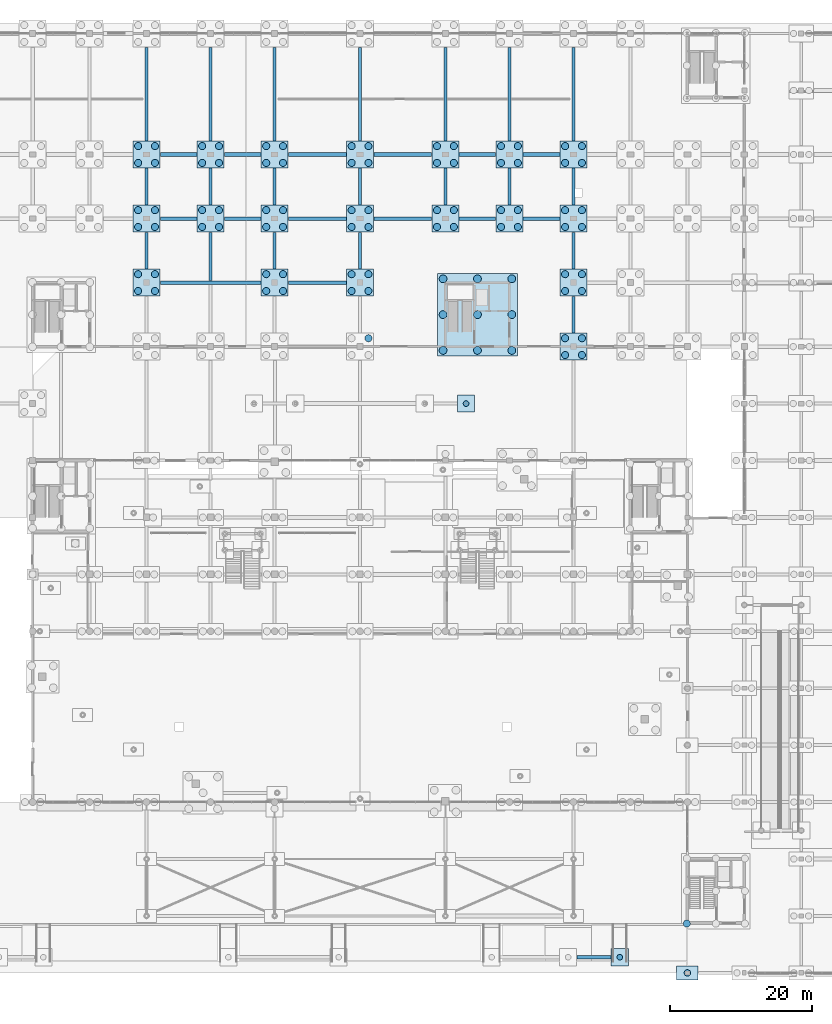
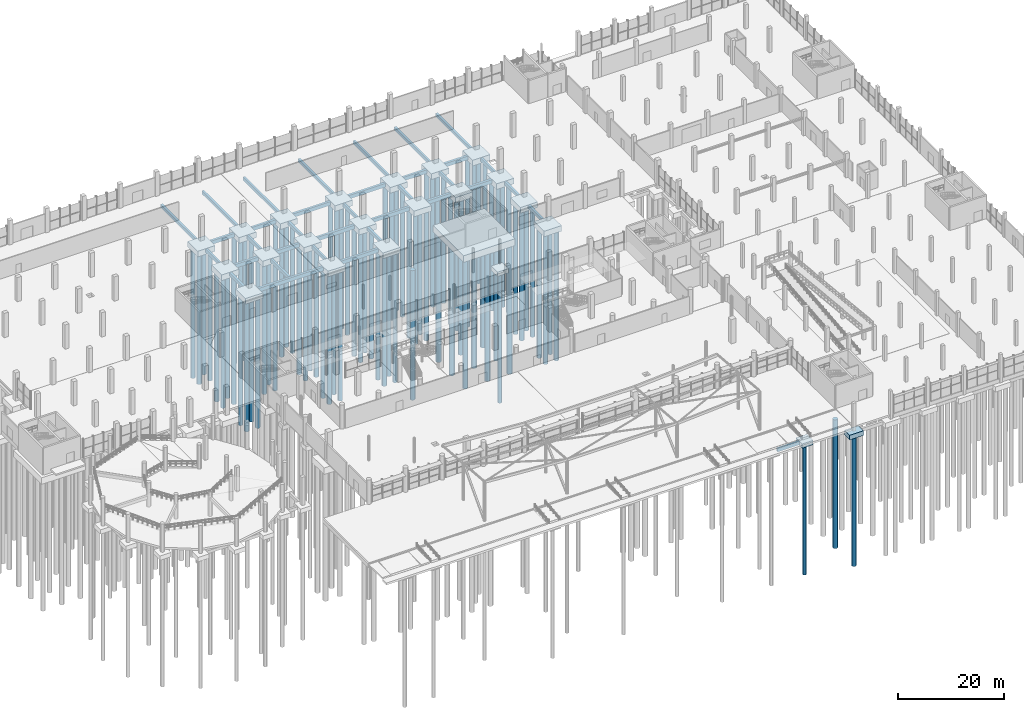
# One storey, part 6 of 98: 90 piles, 58 footings.
"""IFC4 building model written with IfcOpenShell, lengths in metres."""

from ifc_helpers import new_model, si_unit, derived_unit, direction, frame, origin, origin_2d, place, context, subcontext, project, spatial, rectangle, circle, extrude, material, layer, layer_set, material_profile, profile_set, type_object, element, save


model = new_model("IFC4")

# Units and contexts
model_context = context("Model", 3, precision=1e-05, world=origin(), true_north=direction((0.0, 1.0)))
body_context = subcontext(model_context, "Body", "Model", "MODEL_VIEW")
ifc_project = project(units=[si_unit("LENGTHUNIT", "METRE"), si_unit("AREAUNIT", "SQUARE_METRE"), si_unit("VOLUMEUNIT", "CUBIC_METRE"), si_unit("PLANEANGLEUNIT", "RADIAN"), si_unit("MASSUNIT", "GRAM", prefix="KILO"), si_unit("THERMODYNAMICTEMPERATUREUNIT", "KELVIN"), derived_unit("THERMALTRANSMITTANCEUNIT", [(si_unit("POWERUNIT", "WATT"), 1), (si_unit("AREAUNIT", "SQUARE_METRE"), -1), (si_unit("THERMODYNAMICTEMPERATUREUNIT", "KELVIN"), -1)])], contexts=[model_context])

# Site, building, storey
site_placement = place(None, origin())
site = spatial("IfcSite", under=ifc_project, at=site_placement, CompositionType="ELEMENT")
building_placement = place(site_placement, origin())
building = spatial("IfcBuilding", under=site, at=building_placement, Name="Haiyu Intermodal Mobility Hub", CompositionType="ELEMENT")
storey_placement = place(building_placement, origin())
storey = spatial("IfcBuildingStorey", under=building, at=storey_placement, Name="L00", CompositionType="ELEMENT", Elevation=0.0)

# Footings
ifc_material = material(Name="Concrete C40", Category="concrete")
ifc_layer_1 = layer(ifc_material, 1.300048828125)
ifc_layer_set_1 = layer_set([ifc_layer_1], Name="Concrete C40")
footing_type_1 = type_object("IfcFootingType", Name="CAP-PC03", PredefinedType="PILE_CAP", material=ifc_layer_set_1)
for number, where, z_axis, x_axis, name in (
    (1, (78.0, 122.0, -2.2001953125), (0.0, 0.0, 1.0), (1.0, 0.0, 0.0), "Pile Cap CAP-V4-9P"),
    (2, (78.0, 131.0, -2.2001953125), (0.0, 0.0, 1.0), (1.0, 0.0, 0.0), "Pile Cap CAP-V4-9Q"),
    (3, (87.0, 122.0, -2.2001953125), (0.0, 0.0, 1.0), (1.0, 0.0, 0.0), "Pile Cap CAP-V4-10P"),
    (4, (87.0, 131.0, -2.2001953125), (0.0, 0.0, 1.0), (1.0, 0.0, 0.0), "Pile Cap CAP-V4-10Q"),
    (5, (96.0, 122.0, -2.2001953125), (0.0, 0.0, 1.0), (1.0, 0.0, 0.0), "Pile Cap CAP-V4-11P"),
    (6, (96.0, 131.0, -2.2001953125), (0.0, 0.0, 1.0), (1.0, 0.0, 0.0), "Pile Cap CAP-V4-11Q"),
    (7, (108.0, 122.0, -2.2001953125), (0.0, 0.0, 1.0), (1.0, 0.0, 0.0), "Pile Cap CAP-V4-12P"),
    (8, (108.0, 131.0, -2.2001953125), (0.0, 0.0, 1.0), (1.0, 0.0, 0.0), "Pile Cap CAP-V4-12Q"),
    (9, (120.0, 122.0, -2.2001953125), (0.0, 0.0, 1.0), (1.0, 0.0, 0.0), "Pile Cap CAP-V4-13P"),
    (10, (120.0, 131.0, -2.2001953125), (0.0, 0.0, 1.0), (1.0, 0.0, 0.0), "Pile Cap CAP-V4-13Q"),
    (11, (129.0, 122.0, -2.2001953125), (0.0, 0.0, 1.0), (1.0, 0.0, 0.0), "Pile Cap CAP-V4-14P"),
    (12, (129.0, 131.0, -2.2001953125), (0.0, 0.0, 1.0), (1.0, 0.0, 0.0), "Pile Cap CAP-V4-14Q"),
    (13, (138.0, 104.0, -2.2001953125), (0.0, 0.0, 1.0), (1.0, 0.0, 0.0), "Pile Cap CAP-V4-15M"),
    (14, (138.0, 122.0, -2.2001953125), (0.0, 0.0, 1.0), (1.0, 0.0, 0.0), "Pile Cap CAP-V4-15P"),
    (15, (138.0, 131.0, -2.2001953125), (0.0, 0.0, 1.0), (1.0, 0.0, 0.0), "Pile Cap CAP-V4-15Q"),
    (16, (78.0, 113.0, -2.2001953125), (0.0, 0.0, 1.0), (1.0, 0.0, 0.0), "Pile Cap CAP-V3S-9N"),
    (17, (96.0, 113.0, -2.2001953125), (0.0, 0.0, 1.0), (1.0, 0.0, 0.0), "Pile Cap CAP-V3S-11N"),
    (18, (108.0, 113.0, -2.2001953125), (0.0, 0.0, 1.0), (1.0, 0.0, 0.0), "Pile Cap CAP-V3S-12N"),
    (19, (138.0, 113.0, -2.2001953125), (0.0, 0.0, 1.0), (1.0, 0.0, 0.0), "Pile Cap CAP-V3S-15N"),
):
    element("IfcFooting", number, at=place(storey_placement, frame(where, z_axis=z_axis, x_axis=x_axis)), inside=storey, type_object=footing_type_1, Name=name, PredefinedType="PILE_CAP", context=body_context, shape_type="SweptSolid", body=[
        extrude(rectangle(XDim=3.800048828125, YDim=3.800048828125, at=origin_2d()), origin(), (0.0, 0.0, 1.0), 1.300048828125),
    ])
ifc_layer_2 = layer(ifc_material, 1.0)
ifc_layer_set_2 = layer_set([ifc_layer_2], Name="Concrete C40")
footing_type_2 = type_object("IfcFootingType", Name="CAP-PC10", PredefinedType="PILE_CAP", material=ifc_layer_set_2)
for number, where, z_axis, x_axis, name in (
    (20, (122.89990234375, 96.0, -1.89990234375), (0.0, 0.0, 1.0), (1.0, 0.0, 0.0), "Pile Cap CAP-BRG-BEE"),
    (21, (144.5, 18.199951171875, -1.89990234375), (0.0, 0.0, 1.0), (1.0, 0.0, 0.0), "Pile Cap CAP-ACC-02"),
):
    element("IfcFooting", number, at=place(storey_placement, frame(where, z_axis=z_axis, x_axis=x_axis)), inside=storey, type_object=footing_type_2, Name=name, PredefinedType="PILE_CAP", context=body_context, shape_type="SweptSolid", body=[
        extrude(rectangle(XDim=2.39990234375, YDim=2.39990234375, at=origin_2d()), origin(), (0.0, 0.0, 1.0), 1.0),
    ])
ifc_layer_3 = layer(ifc_material, 1.10009765625)
ifc_layer_set_3 = layer_set([ifc_layer_3], Name="Concrete C40")
footing_type_3 = type_object("IfcFootingType", Name="CAP-PC14", PredefinedType="PILE_CAP", material=ifc_layer_set_3)
footing_1_placement = place(storey_placement, frame((154.0, 16.0, -2.0), z_axis=(0.0, 0.0, 1.0), x_axis=(1.0, 0.0, 0.0)))
element("IfcFooting", 22, at=footing_1_placement, inside=storey, type_object=footing_type_3, Name="Pile Cap CAP-V5-17A", PredefinedType="PILE_CAP", context=body_context, shape_type="SweptSolid", body=[
    extrude(rectangle(XDim=3.0, YDim=2.0, at=origin_2d()), origin(), (0.0, 0.0, 1.0), 1.10009765625),
])
ifc_layer_4 = layer(ifc_material, 1.550048828125)
ifc_layer_set_4 = layer_set([ifc_layer_4], Name="Concrete C40")
footing_type_4 = type_object("IfcFootingType", Name="CAP-PC15", PredefinedType="PILE_CAP", material=ifc_layer_set_4)
footing_2_placement = place(storey_placement, frame((124.5, 108.5, -2.4501953125), z_axis=(0.0, 0.0, 1.0), x_axis=(1.0, 0.0, 0.0)))
element("IfcFooting", 23, at=footing_2_placement, inside=storey, type_object=footing_type_4, Name="Pile Cap CAP-CORE-C6", PredefinedType="PILE_CAP", context=body_context, shape_type="SweptSolid", body=[
    extrude(rectangle(XDim=11.199951171875, YDim=11.60009765625, at=origin_2d()), origin(), (0.0, 0.0, 1.0), 1.550048828125),
])
ifc_material_profile_1 = material_profile(ifc_material, rectangle(XDim=0.5, YDim=0.85009765625, at=origin_2d()), Name="FB500x850")
ifc_profile_set_1 = profile_set([ifc_material_profile_1], Name="Concrete C40")
footing_type_5 = type_object("IfcFootingType", Name="FBM-FB01", PredefinedType="FOOTING_BEAM", material=ifc_profile_set_1)
footing_3_placement = place(storey_placement, frame((79.929931640625, 113.0, -1.324951171875), z_axis=(1.0, 0.0, 0.0), x_axis=(0.0, 1.0, 0.0)))
element("IfcFooting", 24, at=footing_3_placement, inside=storey, type_object=footing_type_5, Name="Foundation Tie Beam FBM-X-157", PredefinedType="FOOTING_BEAM", context=body_context, shape_type="SweptSolid", body=[
    extrude(rectangle(XDim=0.5, YDim=0.85009765625, at=origin_2d()), origin(), (0.0, 0.0, 1.0), 14.14013671875),
])
footing_4_placement = place(storey_placement, frame((97.929931640625, 113.0, -1.324951171875), z_axis=(1.0, 0.0, 0.0), x_axis=(0.0, 1.0, 0.0)))
element("IfcFooting", 25, at=footing_4_placement, inside=storey, type_object=footing_type_5, Name="Foundation Tie Beam FBM-X-158", PredefinedType="FOOTING_BEAM", context=body_context, shape_type="SweptSolid", body=[
    extrude(rectangle(XDim=0.5, YDim=0.85009765625, at=origin_2d()), origin(), (0.0, 0.0, 1.0), 8.14013671875),
])
for number, where, z_axis, x_axis, name in (
    (26, (79.929931640625, 122.0, -1.324951171875), (1.0, 0.0, 0.0), (0.0, 1.0, 0.0), "Foundation Tie Beam FBM-X-172"),
    (27, (88.929931640625, 122.0, -1.324951171875), (1.0, 0.0, 0.0), (0.0, 1.0, 0.0), "Foundation Tie Beam FBM-X-173"),
):
    element("IfcFooting", number, at=place(storey_placement, frame(where, z_axis=z_axis, x_axis=x_axis)), inside=storey, type_object=footing_type_5, Name=name, PredefinedType="FOOTING_BEAM", context=body_context, shape_type="SweptSolid", body=[
        extrude(rectangle(XDim=0.5, YDim=0.85009765625, at=origin_2d()), origin(), (0.0, 0.0, 1.0), 5.14013671875),
    ])
for number, where, z_axis, x_axis, name in (
    (28, (97.929931640625, 122.0, -1.324951171875), (1.0, 0.0, 0.0), (0.0, 1.0, 0.0), "Foundation Tie Beam FBM-X-174"),
    (29, (109.929931640625, 122.0, -1.324951171875), (1.0, 0.0, 0.0), (0.0, 1.0, 0.0), "Foundation Tie Beam FBM-X-175"),
):
    element("IfcFooting", number, at=place(storey_placement, frame(where, z_axis=z_axis, x_axis=x_axis)), inside=storey, type_object=footing_type_5, Name=name, PredefinedType="FOOTING_BEAM", context=body_context, shape_type="SweptSolid", body=[
        extrude(rectangle(XDim=0.5, YDim=0.85009765625, at=origin_2d()), origin(), (0.0, 0.0, 1.0), 8.14013671875),
    ])
for number, where, z_axis, x_axis, name in (
    (30, (121.929931640625, 122.0, -1.324951171875), (1.0, 0.0, 0.0), (0.0, 1.0, 0.0), "Foundation Tie Beam FBM-X-176"),
    (31, (130.929931640625, 122.0, -1.324951171875), (1.0, 0.0, 0.0), (0.0, 1.0, 0.0), "Foundation Tie Beam FBM-X-177"),
    (32, (79.929931640625, 131.0, -1.324951171875), (1.0, 0.0, 0.0), (0.0, 1.0, 0.0), "Foundation Tie Beam FBM-X-192"),
    (33, (88.929931640625, 131.0, -1.324951171875), (1.0, 0.0, 0.0), (0.0, 1.0, 0.0), "Foundation Tie Beam FBM-X-193"),
):
    element("IfcFooting", number, at=place(storey_placement, frame(where, z_axis=z_axis, x_axis=x_axis)), inside=storey, type_object=footing_type_5, Name=name, PredefinedType="FOOTING_BEAM", context=body_context, shape_type="SweptSolid", body=[
        extrude(rectangle(XDim=0.5, YDim=0.85009765625, at=origin_2d()), origin(), (0.0, 0.0, 1.0), 5.14013671875),
    ])
for number, where, z_axis, x_axis, name in (
    (34, (97.929931640625, 131.0, -1.324951171875), (1.0, 0.0, 0.0), (0.0, 1.0, 0.0), "Foundation Tie Beam FBM-X-194"),
    (35, (109.929931640625, 131.0, -1.324951171875), (1.0, 0.0, 0.0), (0.0, 1.0, 0.0), "Foundation Tie Beam FBM-X-195"),
):
    element("IfcFooting", number, at=place(storey_placement, frame(where, z_axis=z_axis, x_axis=x_axis)), inside=storey, type_object=footing_type_5, Name=name, PredefinedType="FOOTING_BEAM", context=body_context, shape_type="SweptSolid", body=[
        extrude(rectangle(XDim=0.5, YDim=0.85009765625, at=origin_2d()), origin(), (0.0, 0.0, 1.0), 8.14013671875),
    ])
for number, where, z_axis, x_axis, name in (
    (36, (121.929931640625, 131.0, -1.324951171875), (1.0, 0.0, 0.0), (0.0, 1.0, 0.0), "Foundation Tie Beam FBM-X-196"),
    (37, (130.929931640625, 131.0, -1.324951171875), (1.0, 0.0, 0.0), (0.0, 1.0, 0.0), "Foundation Tie Beam FBM-X-197"),
):
    element("IfcFooting", number, at=place(storey_placement, frame(where, z_axis=z_axis, x_axis=x_axis)), inside=storey, type_object=footing_type_5, Name=name, PredefinedType="FOOTING_BEAM", context=body_context, shape_type="SweptSolid", body=[
        extrude(rectangle(XDim=0.5, YDim=0.85009765625, at=origin_2d()), origin(), (0.0, 0.0, 1.0), 5.14013671875),
    ])
ifc_material_profile_2 = material_profile(ifc_material, rectangle(XDim=0.449951171875, YDim=0.75, at=origin_2d()), Name="FB450x750")
ifc_profile_set_2 = profile_set([ifc_material_profile_2], Name="Concrete C40")
footing_type_6 = type_object("IfcFootingType", Name="FBM-FB02", PredefinedType="FOOTING_BEAM", material=ifc_profile_set_2)
footing_5_placement = place(storey_placement, frame((138.47998046875, 18.199951171875, -1.27490234375), z_axis=(1.0, 0.0, 0.0), x_axis=(0.0, 1.0, 0.0)))
element("IfcFooting", 38, at=footing_5_placement, inside=storey, type_object=footing_type_6, Name="Foundation Tie Beam FBM-X-010", PredefinedType="FOOTING_BEAM", context=body_context, shape_type="SweptSolid", body=[
    extrude(rectangle(XDim=0.449951171875, YDim=0.75, at=origin_2d()), origin(), (0.0, 0.0, 1.0), 4.7900390625),
])
for number, where, z_axis, x_axis, name in (
    (39, (78.0, 114.929931640625, -1.27490234375), (0.0, 1.0, 0.0), (-1.0, 0.0, 0.0), "Foundation Tie Beam FBM-Y-287"),
    (40, (78.0, 123.929931640625, -1.27490234375), (0.0, 1.0, 0.0), (-1.0, 0.0, 0.0), "Foundation Tie Beam FBM-Y-288"),
):
    element("IfcFooting", number, at=place(storey_placement, frame(where, z_axis=z_axis, x_axis=x_axis)), inside=storey, type_object=footing_type_6, Name=name, PredefinedType="FOOTING_BEAM", context=body_context, shape_type="SweptSolid", body=[
        extrude(rectangle(XDim=0.449951171875, YDim=0.75, at=origin_2d()), origin(), (0.0, 0.0, 1.0), 5.14013671875),
    ])
footing_6_placement = place(storey_placement, frame((78.0, 132.929931640625, -1.27490234375), z_axis=(0.0, 1.0, 0.0), x_axis=(-1.0, 0.0, 0.0)))
element("IfcFooting", 41, at=footing_6_placement, inside=storey, type_object=footing_type_6, Name="Foundation Tie Beam FBM-Y-289", PredefinedType="FOOTING_BEAM", context=body_context, shape_type="SweptSolid", body=[
    extrude(rectangle(XDim=0.449951171875, YDim=0.75, at=origin_2d()), origin(), (0.0, 0.0, 1.0), 13.14013671875),
])
footing_7_placement = place(storey_placement, frame((87.0, 113.280029296875, -1.27490234375), z_axis=(0.0, 1.0, 0.0), x_axis=(-1.0, 0.0, 0.0)))
element("IfcFooting", 42, at=footing_7_placement, inside=storey, type_object=footing_type_6, Name="Foundation Tie Beam FBM-Y-296", PredefinedType="FOOTING_BEAM", context=body_context, shape_type="SweptSolid", body=[
    extrude(rectangle(XDim=0.449951171875, YDim=0.75, at=origin_2d()), origin(), (0.0, 0.0, 1.0), 6.7900390625),
])
footing_8_placement = place(storey_placement, frame((87.0, 123.929931640625, -1.27490234375), z_axis=(0.0, 1.0, 0.0), x_axis=(-1.0, 0.0, 0.0)))
element("IfcFooting", 43, at=footing_8_placement, inside=storey, type_object=footing_type_6, Name="Foundation Tie Beam FBM-Y-297", PredefinedType="FOOTING_BEAM", context=body_context, shape_type="SweptSolid", body=[
    extrude(rectangle(XDim=0.449951171875, YDim=0.75, at=origin_2d()), origin(), (0.0, 0.0, 1.0), 5.14013671875),
])
footing_9_placement = place(storey_placement, frame((87.0, 132.929931640625, -1.27490234375), z_axis=(0.0, 1.0, 0.0), x_axis=(-1.0, 0.0, 0.0)))
element("IfcFooting", 44, at=footing_9_placement, inside=storey, type_object=footing_type_6, Name="Foundation Tie Beam FBM-Y-298", PredefinedType="FOOTING_BEAM", context=body_context, shape_type="SweptSolid", body=[
    extrude(rectangle(XDim=0.449951171875, YDim=0.75, at=origin_2d()), origin(), (0.0, 0.0, 1.0), 13.14013671875),
])
for number, where, z_axis, x_axis, name in (
    (45, (96.0, 114.929931640625, -1.27490234375), (0.0, 1.0, 0.0), (-1.0, 0.0, 0.0), "Foundation Tie Beam FBM-Y-307"),
    (46, (96.0, 123.929931640625, -1.27490234375), (0.0, 1.0, 0.0), (-1.0, 0.0, 0.0), "Foundation Tie Beam FBM-Y-308"),
):
    element("IfcFooting", number, at=place(storey_placement, frame(where, z_axis=z_axis, x_axis=x_axis)), inside=storey, type_object=footing_type_6, Name=name, PredefinedType="FOOTING_BEAM", context=body_context, shape_type="SweptSolid", body=[
        extrude(rectangle(XDim=0.449951171875, YDim=0.75, at=origin_2d()), origin(), (0.0, 0.0, 1.0), 5.14013671875),
    ])
footing_10_placement = place(storey_placement, frame((96.0, 132.929931640625, -1.27490234375), z_axis=(0.0, 1.0, 0.0), x_axis=(-1.0, 0.0, 0.0)))
element("IfcFooting", 47, at=footing_10_placement, inside=storey, type_object=footing_type_6, Name="Foundation Tie Beam FBM-Y-309", PredefinedType="FOOTING_BEAM", context=body_context, shape_type="SweptSolid", body=[
    extrude(rectangle(XDim=0.449951171875, YDim=0.75, at=origin_2d()), origin(), (0.0, 0.0, 1.0), 13.14013671875),
])
for number, where, z_axis, x_axis, name in (
    (48, (108.0, 114.929931640625, -1.27490234375), (0.0, 1.0, 0.0), (-1.0, 0.0, 0.0), "Foundation Tie Beam FBM-Y-316"),
    (49, (108.0, 123.929931640625, -1.27490234375), (0.0, 1.0, 0.0), (-1.0, 0.0, 0.0), "Foundation Tie Beam FBM-Y-317"),
):
    element("IfcFooting", number, at=place(storey_placement, frame(where, z_axis=z_axis, x_axis=x_axis)), inside=storey, type_object=footing_type_6, Name=name, PredefinedType="FOOTING_BEAM", context=body_context, shape_type="SweptSolid", body=[
        extrude(rectangle(XDim=0.449951171875, YDim=0.75, at=origin_2d()), origin(), (0.0, 0.0, 1.0), 5.14013671875),
    ])
footing_11_placement = place(storey_placement, frame((108.0, 132.929931640625, -1.27490234375), z_axis=(0.0, 1.0, 0.0), x_axis=(-1.0, 0.0, 0.0)))
element("IfcFooting", 50, at=footing_11_placement, inside=storey, type_object=footing_type_6, Name="Foundation Tie Beam FBM-Y-318", PredefinedType="FOOTING_BEAM", context=body_context, shape_type="SweptSolid", body=[
    extrude(rectangle(XDim=0.449951171875, YDim=0.75, at=origin_2d()), origin(), (0.0, 0.0, 1.0), 13.14013671875),
])
footing_12_placement = place(storey_placement, frame((120.0, 123.929931640625, -1.27490234375), z_axis=(0.0, 1.0, 0.0), x_axis=(-1.0, 0.0, 0.0)))
element("IfcFooting", 51, at=footing_12_placement, inside=storey, type_object=footing_type_6, Name="Foundation Tie Beam FBM-Y-324", PredefinedType="FOOTING_BEAM", context=body_context, shape_type="SweptSolid", body=[
    extrude(rectangle(XDim=0.449951171875, YDim=0.75, at=origin_2d()), origin(), (0.0, 0.0, 1.0), 5.14013671875),
])
footing_13_placement = place(storey_placement, frame((120.0, 132.929931640625, -1.27490234375), z_axis=(0.0, 1.0, 0.0), x_axis=(-1.0, 0.0, 0.0)))
element("IfcFooting", 52, at=footing_13_placement, inside=storey, type_object=footing_type_6, Name="Foundation Tie Beam FBM-Y-325", PredefinedType="FOOTING_BEAM", context=body_context, shape_type="SweptSolid", body=[
    extrude(rectangle(XDim=0.449951171875, YDim=0.75, at=origin_2d()), origin(), (0.0, 0.0, 1.0), 13.14013671875),
])
footing_14_placement = place(storey_placement, frame((129.0, 123.929931640625, -1.27490234375), z_axis=(0.0, 1.0, 0.0), x_axis=(-1.0, 0.0, 0.0)))
element("IfcFooting", 53, at=footing_14_placement, inside=storey, type_object=footing_type_6, Name="Foundation Tie Beam FBM-Y-328", PredefinedType="FOOTING_BEAM", context=body_context, shape_type="SweptSolid", body=[
    extrude(rectangle(XDim=0.449951171875, YDim=0.75, at=origin_2d()), origin(), (0.0, 0.0, 1.0), 5.14013671875),
])
footing_15_placement = place(storey_placement, frame((129.0, 132.929931640625, -1.27490234375), z_axis=(0.0, 1.0, 0.0), x_axis=(-1.0, 0.0, 0.0)))
element("IfcFooting", 54, at=footing_15_placement, inside=storey, type_object=footing_type_6, Name="Foundation Tie Beam FBM-Y-329", PredefinedType="FOOTING_BEAM", context=body_context, shape_type="SweptSolid", body=[
    extrude(rectangle(XDim=0.449951171875, YDim=0.75, at=origin_2d()), origin(), (0.0, 0.0, 1.0), 13.14013671875),
])
for number, where, z_axis, x_axis, name in (
    (55, (138.0, 105.929931640625, -1.27490234375), (0.0, 1.0, 0.0), (-1.0, 0.0, 0.0), "Foundation Tie Beam FBM-Y-336"),
    (56, (138.0, 114.929931640625, -1.27490234375), (0.0, 1.0, 0.0), (-1.0, 0.0, 0.0), "Foundation Tie Beam FBM-Y-337"),
    (57, (138.0, 123.929931640625, -1.27490234375), (0.0, 1.0, 0.0), (-1.0, 0.0, 0.0), "Foundation Tie Beam FBM-Y-338"),
):
    element("IfcFooting", number, at=place(storey_placement, frame(where, z_axis=z_axis, x_axis=x_axis)), inside=storey, type_object=footing_type_6, Name=name, PredefinedType="FOOTING_BEAM", context=body_context, shape_type="SweptSolid", body=[
        extrude(rectangle(XDim=0.449951171875, YDim=0.75, at=origin_2d()), origin(), (0.0, 0.0, 1.0), 5.14013671875),
    ])
footing_16_placement = place(storey_placement, frame((138.0, 132.929931640625, -1.27490234375), z_axis=(0.0, 1.0, 0.0), x_axis=(-1.0, 0.0, 0.0)))
element("IfcFooting", 58, at=footing_16_placement, inside=storey, type_object=footing_type_6, Name="Foundation Tie Beam FBM-Y-339", PredefinedType="FOOTING_BEAM", context=body_context, shape_type="SweptSolid", body=[
    extrude(rectangle(XDim=0.449951171875, YDim=0.75, at=origin_2d()), origin(), (0.0, 0.0, 1.0), 13.14013671875),
])

# Piles
ifc_material_profile_3 = material_profile(ifc_material, circle(Radius=0.550048828125, at=origin_2d()), Name="PILE-D1100")
ifc_profile_set_3 = profile_set([ifc_material_profile_3], Name="Concrete C40")
pile_type_1 = type_object("IfcPileType", Name="PILE-PL01", PredefinedType="BORED", material=ifc_profile_set_3)
for number, where, z_axis, x_axis, name in (
    (59, (119.669921875, 103.469970703125, -2.35009765625), (0.0, 0.0, -1.0), (1.0, 0.0, 0.0), "Bored Pile CAP-CORE-C6-P1"),
    (60, (119.669921875, 108.5, -2.35009765625), (0.0, 0.0, -1.0), (1.0, 0.0, 0.0), "Bored Pile CAP-CORE-C6-P2"),
    (61, (119.669921875, 113.530029296875, -2.35009765625), (0.0, 0.0, -1.0), (1.0, 0.0, 0.0), "Bored Pile CAP-CORE-C6-P3"),
    (62, (124.5, 103.469970703125, -2.35009765625), (0.0, 0.0, -1.0), (1.0, 0.0, 0.0), "Bored Pile CAP-CORE-C6-P4"),
    (63, (124.5, 108.5, -2.35009765625), (0.0, 0.0, -1.0), (1.0, 0.0, 0.0), "Bored Pile CAP-CORE-C6-P5"),
    (64, (124.5, 113.530029296875, -2.35009765625), (0.0, 0.0, -1.0), (1.0, 0.0, 0.0), "Bored Pile CAP-CORE-C6-P6"),
    (65, (129.330078125, 103.469970703125, -2.35009765625), (0.0, 0.0, -1.0), (1.0, 0.0, 0.0), "Bored Pile CAP-CORE-C6-P7"),
    (66, (129.330078125, 108.5, -2.35009765625), (0.0, 0.0, -1.0), (1.0, 0.0, 0.0), "Bored Pile CAP-CORE-C6-P8"),
    (67, (129.330078125, 113.530029296875, -2.35009765625), (0.0, 0.0, -1.0), (1.0, 0.0, 0.0), "Bored Pile CAP-CORE-C6-P9"),
):
    element("IfcPile", number, at=place(storey_placement, frame(where, z_axis=z_axis, x_axis=x_axis)), inside=storey, type_object=pile_type_1, Name=name, PredefinedType="BORED", context=body_context, shape_type="SweptSolid", body=[
        extrude(circle(Radius=0.550048828125, at=origin_2d()), origin(), (0.0, 0.0, 1.0), 29.64990234375),
    ])
ifc_material_profile_4 = material_profile(ifc_material, circle(Radius=0.5, at=origin_2d()), Name="PILE-D1000")
ifc_profile_set_4 = profile_set([ifc_material_profile_4], Name="Concrete C40")
pile_type_2 = type_object("IfcPileType", Name="PILE-PL02", PredefinedType="BORED", material=ifc_profile_set_4)
pile_1_placement = place(storey_placement, frame((153.919921875, 22.919921875, -2.300048828125), z_axis=(0.0, 0.0, -1.0), x_axis=(1.0, 0.0, 0.0)))
element("IfcPile", 68, at=pile_1_placement, inside=storey, type_object=pile_type_2, Name="Bored Pile CAP-CORE-C8-P1", PredefinedType="BORED", context=body_context, shape_type="SweptSolid", body=[
    extrude(circle(Radius=0.5, at=origin_2d()), origin(), (0.0, 0.0, 1.0), 29.699951171875),
])
for number, where, z_axis, x_axis, name in (
    (69, (76.820068359375, 120.820068359375, -2.10009765625), (0.0, 0.0, -1.0), (1.0, 0.0, 0.0), "Bored Pile CAP-V4-9P-P1"),
    (70, (79.179931640625, 120.820068359375, -2.10009765625), (0.0, 0.0, -1.0), (1.0, 0.0, 0.0), "Bored Pile CAP-V4-9P-P2"),
    (71, (76.820068359375, 123.179931640625, -2.10009765625), (0.0, 0.0, -1.0), (1.0, 0.0, 0.0), "Bored Pile CAP-V4-9P-P3"),
    (72, (79.179931640625, 123.179931640625, -2.10009765625), (0.0, 0.0, -1.0), (1.0, 0.0, 0.0), "Bored Pile CAP-V4-9P-P4"),
    (73, (76.820068359375, 129.820068359375, -2.10009765625), (0.0, 0.0, -1.0), (1.0, 0.0, 0.0), "Bored Pile CAP-V4-9Q-P1"),
    (74, (79.179931640625, 129.820068359375, -2.10009765625), (0.0, 0.0, -1.0), (1.0, 0.0, 0.0), "Bored Pile CAP-V4-9Q-P2"),
    (75, (76.820068359375, 132.179931640625, -2.10009765625), (0.0, 0.0, -1.0), (1.0, 0.0, 0.0), "Bored Pile CAP-V4-9Q-P3"),
    (76, (79.179931640625, 132.179931640625, -2.10009765625), (0.0, 0.0, -1.0), (1.0, 0.0, 0.0), "Bored Pile CAP-V4-9Q-P4"),
    (77, (85.820068359375, 120.820068359375, -2.10009765625), (0.0, 0.0, -1.0), (1.0, 0.0, 0.0), "Bored Pile CAP-V4-10P-P1"),
    (78, (88.179931640625, 120.820068359375, -2.10009765625), (0.0, 0.0, -1.0), (1.0, 0.0, 0.0), "Bored Pile CAP-V4-10P-P2"),
    (79, (85.820068359375, 123.179931640625, -2.10009765625), (0.0, 0.0, -1.0), (1.0, 0.0, 0.0), "Bored Pile CAP-V4-10P-P3"),
    (80, (88.179931640625, 123.179931640625, -2.10009765625), (0.0, 0.0, -1.0), (1.0, 0.0, 0.0), "Bored Pile CAP-V4-10P-P4"),
    (81, (85.820068359375, 129.820068359375, -2.10009765625), (0.0, 0.0, -1.0), (1.0, 0.0, 0.0), "Bored Pile CAP-V4-10Q-P1"),
    (82, (88.179931640625, 129.820068359375, -2.10009765625), (0.0, 0.0, -1.0), (1.0, 0.0, 0.0), "Bored Pile CAP-V4-10Q-P2"),
    (83, (85.820068359375, 132.179931640625, -2.10009765625), (0.0, 0.0, -1.0), (1.0, 0.0, 0.0), "Bored Pile CAP-V4-10Q-P3"),
    (84, (88.179931640625, 132.179931640625, -2.10009765625), (0.0, 0.0, -1.0), (1.0, 0.0, 0.0), "Bored Pile CAP-V4-10Q-P4"),
    (85, (94.820068359375, 120.820068359375, -2.10009765625), (0.0, 0.0, -1.0), (1.0, 0.0, 0.0), "Bored Pile CAP-V4-11P-P1"),
    (86, (97.179931640625, 120.820068359375, -2.10009765625), (0.0, 0.0, -1.0), (1.0, 0.0, 0.0), "Bored Pile CAP-V4-11P-P2"),
    (87, (94.820068359375, 123.179931640625, -2.10009765625), (0.0, 0.0, -1.0), (1.0, 0.0, 0.0), "Bored Pile CAP-V4-11P-P3"),
    (88, (97.179931640625, 123.179931640625, -2.10009765625), (0.0, 0.0, -1.0), (1.0, 0.0, 0.0), "Bored Pile CAP-V4-11P-P4"),
    (89, (94.820068359375, 129.820068359375, -2.10009765625), (0.0, 0.0, -1.0), (1.0, 0.0, 0.0), "Bored Pile CAP-V4-11Q-P1"),
    (90, (97.179931640625, 129.820068359375, -2.10009765625), (0.0, 0.0, -1.0), (1.0, 0.0, 0.0), "Bored Pile CAP-V4-11Q-P2"),
    (91, (94.820068359375, 132.179931640625, -2.10009765625), (0.0, 0.0, -1.0), (1.0, 0.0, 0.0), "Bored Pile CAP-V4-11Q-P3"),
    (92, (97.179931640625, 132.179931640625, -2.10009765625), (0.0, 0.0, -1.0), (1.0, 0.0, 0.0), "Bored Pile CAP-V4-11Q-P4"),
    (93, (109.179931640625, 105.179931640625, -2.10009765625), (0.0, 0.0, -1.0), (1.0, 0.0, 0.0), "Bored Pile CAP-V4-12M-P4"),
    (94, (106.820068359375, 120.820068359375, -2.10009765625), (0.0, 0.0, -1.0), (1.0, 0.0, 0.0), "Bored Pile CAP-V4-12P-P1"),
    (95, (109.179931640625, 120.820068359375, -2.10009765625), (0.0, 0.0, -1.0), (1.0, 0.0, 0.0), "Bored Pile CAP-V4-12P-P2"),
    (96, (106.820068359375, 123.179931640625, -2.10009765625), (0.0, 0.0, -1.0), (1.0, 0.0, 0.0), "Bored Pile CAP-V4-12P-P3"),
    (97, (109.179931640625, 123.179931640625, -2.10009765625), (0.0, 0.0, -1.0), (1.0, 0.0, 0.0), "Bored Pile CAP-V4-12P-P4"),
    (98, (106.820068359375, 129.820068359375, -2.10009765625), (0.0, 0.0, -1.0), (1.0, 0.0, 0.0), "Bored Pile CAP-V4-12Q-P1"),
    (99, (109.179931640625, 129.820068359375, -2.10009765625), (0.0, 0.0, -1.0), (1.0, 0.0, 0.0), "Bored Pile CAP-V4-12Q-P2"),
    (100, (106.820068359375, 132.179931640625, -2.10009765625), (0.0, 0.0, -1.0), (1.0, 0.0, 0.0), "Bored Pile CAP-V4-12Q-P3"),
    (101, (109.179931640625, 132.179931640625, -2.10009765625), (0.0, 0.0, -1.0), (1.0, 0.0, 0.0), "Bored Pile CAP-V4-12Q-P4"),
    (102, (118.820068359375, 120.820068359375, -2.10009765625), (0.0, 0.0, -1.0), (1.0, 0.0, 0.0), "Bored Pile CAP-V4-13P-P1"),
    (103, (121.179931640625, 120.820068359375, -2.10009765625), (0.0, 0.0, -1.0), (1.0, 0.0, 0.0), "Bored Pile CAP-V4-13P-P2"),
    (104, (118.820068359375, 123.179931640625, -2.10009765625), (0.0, 0.0, -1.0), (1.0, 0.0, 0.0), "Bored Pile CAP-V4-13P-P3"),
    (105, (121.179931640625, 123.179931640625, -2.10009765625), (0.0, 0.0, -1.0), (1.0, 0.0, 0.0), "Bored Pile CAP-V4-13P-P4"),
    (106, (118.820068359375, 129.820068359375, -2.10009765625), (0.0, 0.0, -1.0), (1.0, 0.0, 0.0), "Bored Pile CAP-V4-13Q-P1"),
    (107, (121.179931640625, 129.820068359375, -2.10009765625), (0.0, 0.0, -1.0), (1.0, 0.0, 0.0), "Bored Pile CAP-V4-13Q-P2"),
    (108, (118.820068359375, 132.179931640625, -2.10009765625), (0.0, 0.0, -1.0), (1.0, 0.0, 0.0), "Bored Pile CAP-V4-13Q-P3"),
    (109, (121.179931640625, 132.179931640625, -2.10009765625), (0.0, 0.0, -1.0), (1.0, 0.0, 0.0), "Bored Pile CAP-V4-13Q-P4"),
    (110, (127.820068359375, 120.820068359375, -2.10009765625), (0.0, 0.0, -1.0), (1.0, 0.0, 0.0), "Bored Pile CAP-V4-14P-P1"),
    (111, (130.179931640625, 120.820068359375, -2.10009765625), (0.0, 0.0, -1.0), (1.0, 0.0, 0.0), "Bored Pile CAP-V4-14P-P2"),
    (112, (127.820068359375, 123.179931640625, -2.10009765625), (0.0, 0.0, -1.0), (1.0, 0.0, 0.0), "Bored Pile CAP-V4-14P-P3"),
    (113, (130.179931640625, 123.179931640625, -2.10009765625), (0.0, 0.0, -1.0), (1.0, 0.0, 0.0), "Bored Pile CAP-V4-14P-P4"),
    (114, (127.820068359375, 129.820068359375, -2.10009765625), (0.0, 0.0, -1.0), (1.0, 0.0, 0.0), "Bored Pile CAP-V4-14Q-P1"),
    (115, (130.179931640625, 129.820068359375, -2.10009765625), (0.0, 0.0, -1.0), (1.0, 0.0, 0.0), "Bored Pile CAP-V4-14Q-P2"),
    (116, (127.820068359375, 132.179931640625, -2.10009765625), (0.0, 0.0, -1.0), (1.0, 0.0, 0.0), "Bored Pile CAP-V4-14Q-P3"),
    (117, (130.179931640625, 132.179931640625, -2.10009765625), (0.0, 0.0, -1.0), (1.0, 0.0, 0.0), "Bored Pile CAP-V4-14Q-P4"),
    (118, (136.820068359375, 102.820068359375, -2.10009765625), (0.0, 0.0, -1.0), (1.0, 0.0, 0.0), "Bored Pile CAP-V4-15M-P1"),
    (119, (139.179931640625, 102.820068359375, -2.10009765625), (0.0, 0.0, -1.0), (1.0, 0.0, 0.0), "Bored Pile CAP-V4-15M-P2"),
    (120, (136.820068359375, 105.179931640625, -2.10009765625), (0.0, 0.0, -1.0), (1.0, 0.0, 0.0), "Bored Pile CAP-V4-15M-P3"),
    (121, (139.179931640625, 105.179931640625, -2.10009765625), (0.0, 0.0, -1.0), (1.0, 0.0, 0.0), "Bored Pile CAP-V4-15M-P4"),
    (122, (136.820068359375, 120.820068359375, -2.10009765625), (0.0, 0.0, -1.0), (1.0, 0.0, 0.0), "Bored Pile CAP-V4-15P-P1"),
    (123, (139.179931640625, 120.820068359375, -2.10009765625), (0.0, 0.0, -1.0), (1.0, 0.0, 0.0), "Bored Pile CAP-V4-15P-P2"),
    (124, (136.820068359375, 123.179931640625, -2.10009765625), (0.0, 0.0, -1.0), (1.0, 0.0, 0.0), "Bored Pile CAP-V4-15P-P3"),
    (125, (139.179931640625, 123.179931640625, -2.10009765625), (0.0, 0.0, -1.0), (1.0, 0.0, 0.0), "Bored Pile CAP-V4-15P-P4"),
    (126, (136.820068359375, 129.820068359375, -2.10009765625), (0.0, 0.0, -1.0), (1.0, 0.0, 0.0), "Bored Pile CAP-V4-15Q-P1"),
    (127, (139.179931640625, 129.820068359375, -2.10009765625), (0.0, 0.0, -1.0), (1.0, 0.0, 0.0), "Bored Pile CAP-V4-15Q-P2"),
    (128, (136.820068359375, 132.179931640625, -2.10009765625), (0.0, 0.0, -1.0), (1.0, 0.0, 0.0), "Bored Pile CAP-V4-15Q-P3"),
    (129, (139.179931640625, 132.179931640625, -2.10009765625), (0.0, 0.0, -1.0), (1.0, 0.0, 0.0), "Bored Pile CAP-V4-15Q-P4"),
    (130, (76.820068359375, 111.820068359375, -2.10009765625), (0.0, 0.0, -1.0), (1.0, 0.0, 0.0), "Bored Pile CAP-V3S-9N-P1"),
    (131, (79.179931640625, 111.820068359375, -2.10009765625), (0.0, 0.0, -1.0), (1.0, 0.0, 0.0), "Bored Pile CAP-V3S-9N-P2"),
    (132, (76.820068359375, 114.179931640625, -2.10009765625), (0.0, 0.0, -1.0), (1.0, 0.0, 0.0), "Bored Pile CAP-V3S-9N-P3"),
    (133, (79.179931640625, 114.179931640625, -2.10009765625), (0.0, 0.0, -1.0), (1.0, 0.0, 0.0), "Bored Pile CAP-V3S-9N-P4"),
    (134, (94.820068359375, 111.820068359375, -2.10009765625), (0.0, 0.0, -1.0), (1.0, 0.0, 0.0), "Bored Pile CAP-V3S-11N-P1"),
    (135, (97.179931640625, 111.820068359375, -2.10009765625), (0.0, 0.0, -1.0), (1.0, 0.0, 0.0), "Bored Pile CAP-V3S-11N-P2"),
    (136, (94.820068359375, 114.179931640625, -2.10009765625), (0.0, 0.0, -1.0), (1.0, 0.0, 0.0), "Bored Pile CAP-V3S-11N-P3"),
    (137, (97.179931640625, 114.179931640625, -2.10009765625), (0.0, 0.0, -1.0), (1.0, 0.0, 0.0), "Bored Pile CAP-V3S-11N-P4"),
    (138, (106.820068359375, 111.820068359375, -2.10009765625), (0.0, 0.0, -1.0), (1.0, 0.0, 0.0), "Bored Pile CAP-V3S-12N-P1"),
    (139, (109.179931640625, 111.820068359375, -2.10009765625), (0.0, 0.0, -1.0), (1.0, 0.0, 0.0), "Bored Pile CAP-V3S-12N-P2"),
    (140, (106.820068359375, 114.179931640625, -2.10009765625), (0.0, 0.0, -1.0), (1.0, 0.0, 0.0), "Bored Pile CAP-V3S-12N-P3"),
    (141, (109.179931640625, 114.179931640625, -2.10009765625), (0.0, 0.0, -1.0), (1.0, 0.0, 0.0), "Bored Pile CAP-V3S-12N-P4"),
    (142, (136.820068359375, 111.820068359375, -2.10009765625), (0.0, 0.0, -1.0), (1.0, 0.0, 0.0), "Bored Pile CAP-V3S-15N-P1"),
    (143, (139.179931640625, 111.820068359375, -2.10009765625), (0.0, 0.0, -1.0), (1.0, 0.0, 0.0), "Bored Pile CAP-V3S-15N-P2"),
    (144, (136.820068359375, 114.179931640625, -2.10009765625), (0.0, 0.0, -1.0), (1.0, 0.0, 0.0), "Bored Pile CAP-V3S-15N-P3"),
    (145, (139.179931640625, 114.179931640625, -2.10009765625), (0.0, 0.0, -1.0), (1.0, 0.0, 0.0), "Bored Pile CAP-V3S-15N-P4"),
):
    element("IfcPile", number, at=place(storey_placement, frame(where, z_axis=z_axis, x_axis=x_axis)), inside=storey, type_object=pile_type_2, Name=name, PredefinedType="BORED", context=body_context, shape_type="SweptSolid", body=[
        extrude(circle(Radius=0.5, at=origin_2d()), origin(), (0.0, 0.0, 1.0), 29.89990234375),
    ])
ifc_material_profile_5 = material_profile(ifc_material, circle(Radius=0.449951171875, at=origin_2d()), Name="PILE-D900")
ifc_profile_set_5 = profile_set([ifc_material_profile_5], Name="Concrete C40")
pile_type_3 = type_object("IfcPileType", Name="PILE-PL03", PredefinedType="BORED", material=ifc_profile_set_5)
pile_2_placement = place(storey_placement, frame((154.0, 16.0, -1.89990234375), z_axis=(0.0, 0.0, -1.0), x_axis=(1.0, 0.0, 0.0)))
element("IfcPile", 146, at=pile_2_placement, inside=storey, type_object=pile_type_3, Name="Bored Pile CAP-V5-17A-P1", PredefinedType="BORED", context=body_context, shape_type="SweptSolid", body=[
    extrude(circle(Radius=0.449951171875, at=origin_2d()), origin(), (0.0, 0.0, 1.0), 30.10009765625),
])
ifc_material_profile_6 = material_profile(ifc_material, circle(Radius=0.39990234375, at=origin_2d()), Name="PILE-D800")
ifc_profile_set_6 = profile_set([ifc_material_profile_6], Name="Concrete C40")
pile_type_4 = type_object("IfcPileType", Name="PILE-PL04", PredefinedType="BORED", material=ifc_profile_set_6)
for number, where, z_axis, x_axis, name in (
    (147, (122.89990234375, 96.0, -1.800048828125), (0.0, 0.0, -1.0), (1.0, 0.0, 0.0), "Bored Pile CAP-BRG-BEE-P1"),
    (148, (144.5, 18.199951171875, -1.800048828125), (0.0, 0.0, -1.0), (1.0, 0.0, 0.0), "Bored Pile CAP-ACC-02-P1"),
):
    element("IfcPile", number, at=place(storey_placement, frame(where, z_axis=z_axis, x_axis=x_axis)), inside=storey, type_object=pile_type_4, Name=name, PredefinedType="BORED", context=body_context, shape_type="SweptSolid", body=[
        extrude(circle(Radius=0.39990234375, at=origin_2d()), origin(), (0.0, 0.0, 1.0), 30.199951171875),
    ])

save(model, "model.ifc")
